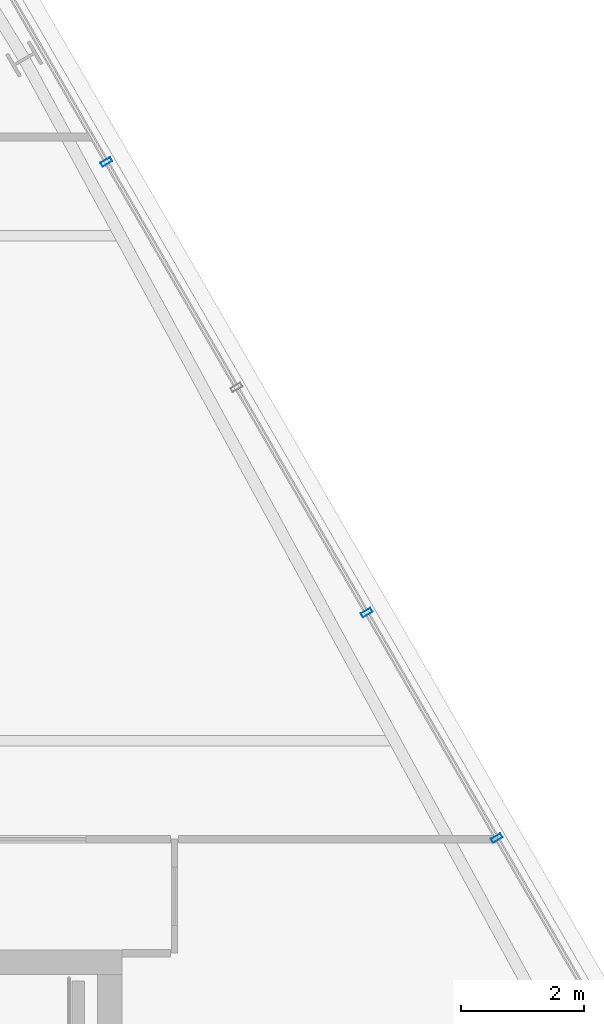
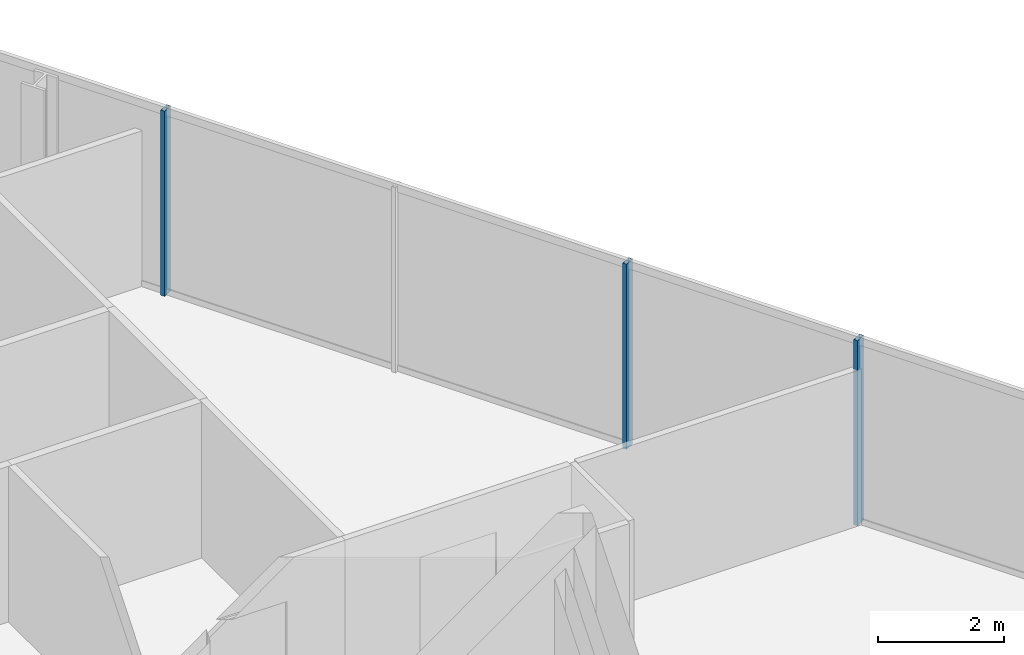
# One storey, part 15 of 33: 3 members, 1 element without a shape of its own.
"""IFC4 building model written with IfcOpenShell, lengths in metres."""

from ifc_helpers import new_model, si_unit, direction, frame, origin, origin_2d, place, context, subcontext, project, spatial, hollow_rectangle, extrude, material, layer, layer_set, material_profile, profile_set, type_object, element, aggregate, save


model = new_model("IFC4")

# Units and contexts
model_context = context("Model", 3, precision=1e-05, world=origin(), true_north=direction((0.0, 1.0)))
body_context = subcontext(model_context, "Body", "Model", "MODEL_VIEW")
ifc_project = project(units=[si_unit("LENGTHUNIT", "METRE"), si_unit("AREAUNIT", "SQUARE_METRE"), si_unit("VOLUMEUNIT", "CUBIC_METRE"), si_unit("PLANEANGLEUNIT", "RADIAN"), si_unit("MASSUNIT", "GRAM", prefix="KILO")], contexts=[model_context])

# Site, building, storey
site_placement = place(None, origin())
site = spatial("IfcSite", under=ifc_project, at=site_placement, CompositionType="ELEMENT")
building_placement = place(site_placement, origin())
building = spatial("IfcBuilding", under=site, at=building_placement, Name="Ndaravel Arena Tower", CompositionType="ELEMENT")
storey_placement = place(building_placement, frame((0.0, 0.0, 184.0)))
storey = spatial("IfcBuildingStorey", under=building, at=storey_placement, Name="L44", CompositionType="ELEMENT", Elevation=184.0)

# Curtain wall, members
ifc_material_1 = material(Name="Aluminium", Category="aluminium")
ifc_layer = layer(ifc_material_1, 0.179931640625)
ifc_layer_set = layer_set([ifc_layer], Name="Aluminium")
curtain_wall_type = type_object("IfcCurtainWallType", Name="CW-SYS-03", PredefinedType="NOTDEFINED", material=ifc_layer_set)
curtain_wall_placement = place(storey_placement, origin())
curtain_wall = element("IfcCurtainWall", 1, at=curtain_wall_placement, inside=storey, type_object=curtain_wall_type, Name="L44 Faceted Crystal Curtain Wall CW-L44-E03", PredefinedType="NOTDEFINED")
ifc_material_2 = material(Name="Aluminium", Category="aluminium")
ifc_material_profile = material_profile(ifc_material_2, hollow_rectangle(XDim=0.074951171875, YDim=0.179931640625, WallThickness=0.00390625, at=origin_2d()), Name="CW MULLION 75x180x4")
ifc_profile_set = profile_set([ifc_material_profile], Name="Aluminium")
member_type = type_object("IfcMemberType", Name="MEM-CW-MUL180", PredefinedType="MULLION", material=ifc_profile_set)
member_1_placement = place(storey_placement, frame((63.635009765625, 17.0185546875, 0.0), z_axis=(0.0, 0.0, 1.0), x_axis=(-0.5, 0.866025403784, 0.0)))
member_1 = element("IfcMember", 2, at=member_1_placement, type_object=member_type, Name="CW-L44-E03 Mullion 01", PredefinedType="MULLION", context=body_context, shape_type="SweptSolid", body=[
    extrude(hollow_rectangle(XDim=0.074951171875, YDim=0.179931640625, WallThickness=0.00390625, at=origin_2d()), origin(), (0.0, 0.0, 1.0), 3.580078125),
])
member_2_placement = place(storey_placement, frame((61.5224609375, 20.677978515625, 0.0), z_axis=(0.0, 0.0, 1.0), x_axis=(-0.5, 0.866025403784, 0.0)))
member_2 = element("IfcMember", 3, at=member_2_placement, type_object=member_type, Name="CW-L44-E03 Mullion 02", PredefinedType="MULLION", context=body_context, shape_type="SweptSolid", body=[
    extrude(hollow_rectangle(XDim=0.074951171875, YDim=0.179931640625, WallThickness=0.00390625, at=origin_2d()), origin(), (0.0, 0.0, 1.0), 3.580078125),
])
member_3_placement = place(storey_placement, frame((57.297119140625, 27.996337890625, 0.0), z_axis=(0.0, 0.0, 1.0), x_axis=(-0.5, 0.866025403784, 0.0)))
member_3 = element("IfcMember", 4, at=member_3_placement, type_object=member_type, Name="CW-L44-E03 Mullion 04", PredefinedType="MULLION", context=body_context, shape_type="SweptSolid", body=[
    extrude(hollow_rectangle(XDim=0.074951171875, YDim=0.179931640625, WallThickness=0.00390625, at=origin_2d()), origin(), (0.0, 0.0, 1.0), 3.580078125),
])
aggregate(curtain_wall, [member_1, member_2, member_3])

save(model, "model.ifc")
